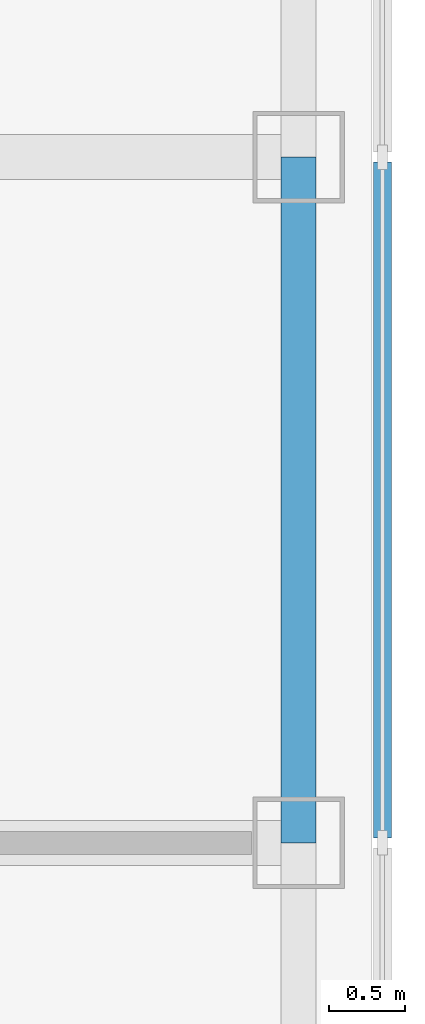
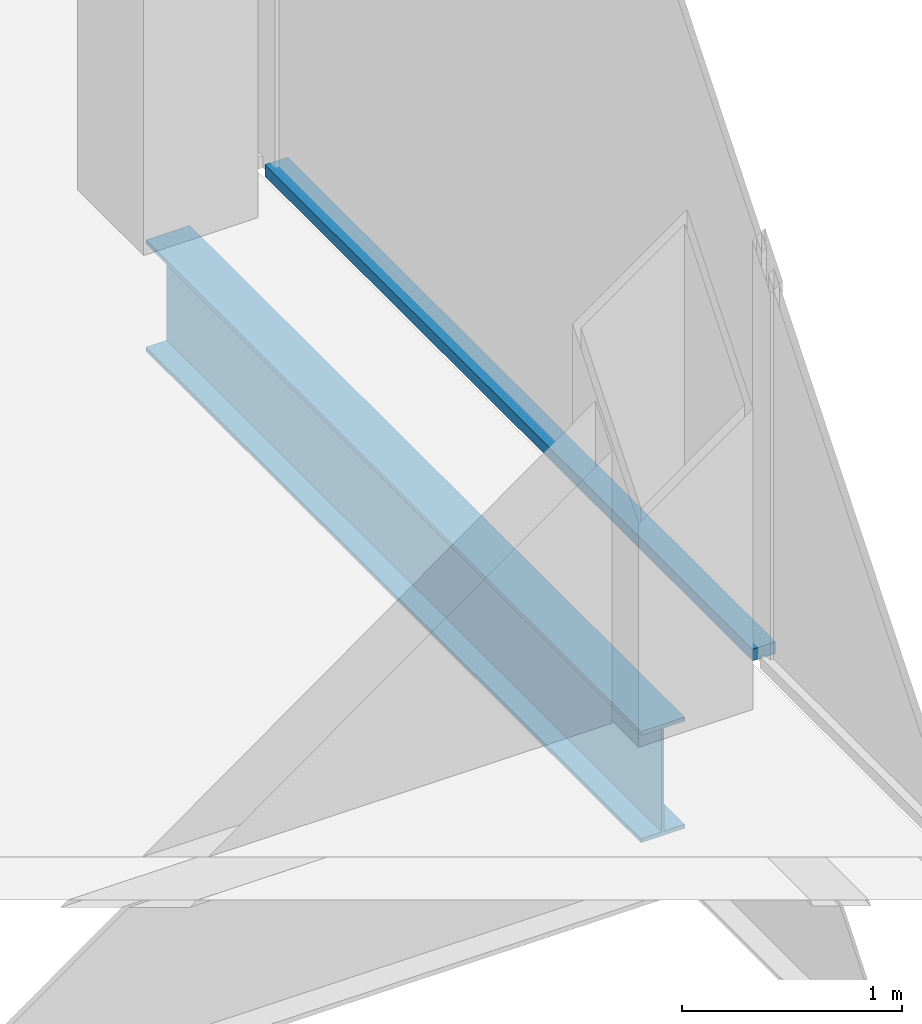
# One storey, part 5 of 14: 1 beam, 1 member, 1 element without a shape of its own.
"""IFC4 building model written with IfcOpenShell, lengths in metres."""

from ifc_helpers import new_model, si_unit, direction, frame, origin, origin_2d, place, context, subcontext, project, spatial, rectangle, i_section, extrude, material, material_profile, profile_set, type_object, element, aggregate, save


model = new_model("IFC4")

# Units and contexts
model_context = context("Model", 3, precision=1e-05, world=origin(), true_north=direction((0.0, 1.0)))
body_context = subcontext(model_context, "Body", "Model", "MODEL_VIEW")
ifc_project = project(units=[si_unit("LENGTHUNIT", "METRE"), si_unit("AREAUNIT", "SQUARE_METRE"), si_unit("VOLUMEUNIT", "CUBIC_METRE"), si_unit("PLANEANGLEUNIT", "RADIAN"), si_unit("MASSUNIT", "GRAM", prefix="KILO")], contexts=[model_context])

# Site, building, storey
site_placement = place(None, origin())
site = spatial("IfcSite", under=ifc_project, at=site_placement, CompositionType="ELEMENT")
building_placement = place(site_placement, origin())
building = spatial("IfcBuilding", under=site, at=building_placement, Name="Corais Broadcast Tower", CompositionType="ELEMENT")
storey_placement = place(building_placement, frame((0.0, 0.0, 262.60009765625)))
storey = spatial("IfcBuildingStorey", under=building, at=storey_placement, Name="L61", CompositionType="ELEMENT", Elevation=262.60009765625)

# Beam
ifc_material_1 = material(Name="Steel ASTM A572 Grade 50", Category="steel")
ifc_material_profile_1 = material_profile(ifc_material_1, i_section(OverallWidth=0.22998046875, OverallDepth=0.616943359375, WebThickness=0.01318359375, FlangeThickness=0.022216796875, at=origin_2d()), Name="W610x140")
ifc_profile_set_1 = profile_set([ifc_material_profile_1], Name="Steel ASTM A572 Grade 50")
beam_type = type_object("IfcBeamType", Name="Spandrel W610x140", PredefinedType="BEAM", material=ifc_profile_set_1)
beam_placement = place(storey_placement, frame((54.0, 27.0, -0.468505859375), z_axis=(0.0, 1.0, 0.0), x_axis=(-1.0, 0.0, 0.0)))
element("IfcBeam", 1, at=beam_placement, inside=storey, type_object=beam_type, Name="SB3 G/15 to H/15", PredefinedType="BEAM", context=body_context, shape_type="SweptSolid", body=[
    extrude(i_section(OverallWidth=0.22998046875, OverallDepth=0.616943359375, WebThickness=0.01318359375, FlangeThickness=0.022216796875, at=origin_2d()), origin(), (0.0, 0.0, 1.0), 4.5),
])

# Curtain wall, member
ifc_material_2 = material(Name="Aluminium and glass", Category="aluminium")
curtain_wall_type = type_object("IfcCurtainWallType", Name="Unitised fritted curtain wall CW3", PredefinedType="NOTDEFINED", material=ifc_material_2)
curtain_wall_placement = place(storey_placement, origin())
curtain_wall = element("IfcCurtainWall", 2, at=curtain_wall_placement, inside=storey, type_object=curtain_wall_type, Name="CW3 curtain wall L61 6", PredefinedType="NOTDEFINED")
ifc_material_3 = material(Name="Aluminium 6063-T6", Category="aluminium")
ifc_material_profile_2 = material_profile(ifc_material_3, rectangle(XDim=0.1201171875, YDim=0.06494140625, at=origin_2d()), Name="Transom CW3 65x120")
ifc_profile_set_2 = profile_set([ifc_material_profile_2], Name="Aluminium 6063-T6")
member_type = type_object("IfcMemberType", Name="Transom CW3 65x120", PredefinedType="USERDEFINED", material=ifc_profile_set_2)
member_placement = place(storey_placement, frame((54.550048828125, 31.467529296875, 0.032470703125), z_axis=(0.0, -1.0, 0.0), x_axis=(1.0, 0.0, 0.0)))
member = element("IfcMember", 3, at=member_placement, type_object=member_type, Name="CW3 transom 3.1", ObjectType="TRANSOM", PredefinedType="USERDEFINED", context=body_context, shape_type="SweptSolid", body=[
    extrude(rectangle(XDim=0.1201171875, YDim=0.06494140625, at=origin_2d()), origin(), (0.0, 0.0, 1.0), 4.43505859375),
])
aggregate(curtain_wall, [member])

save(model, "model.ifc")
